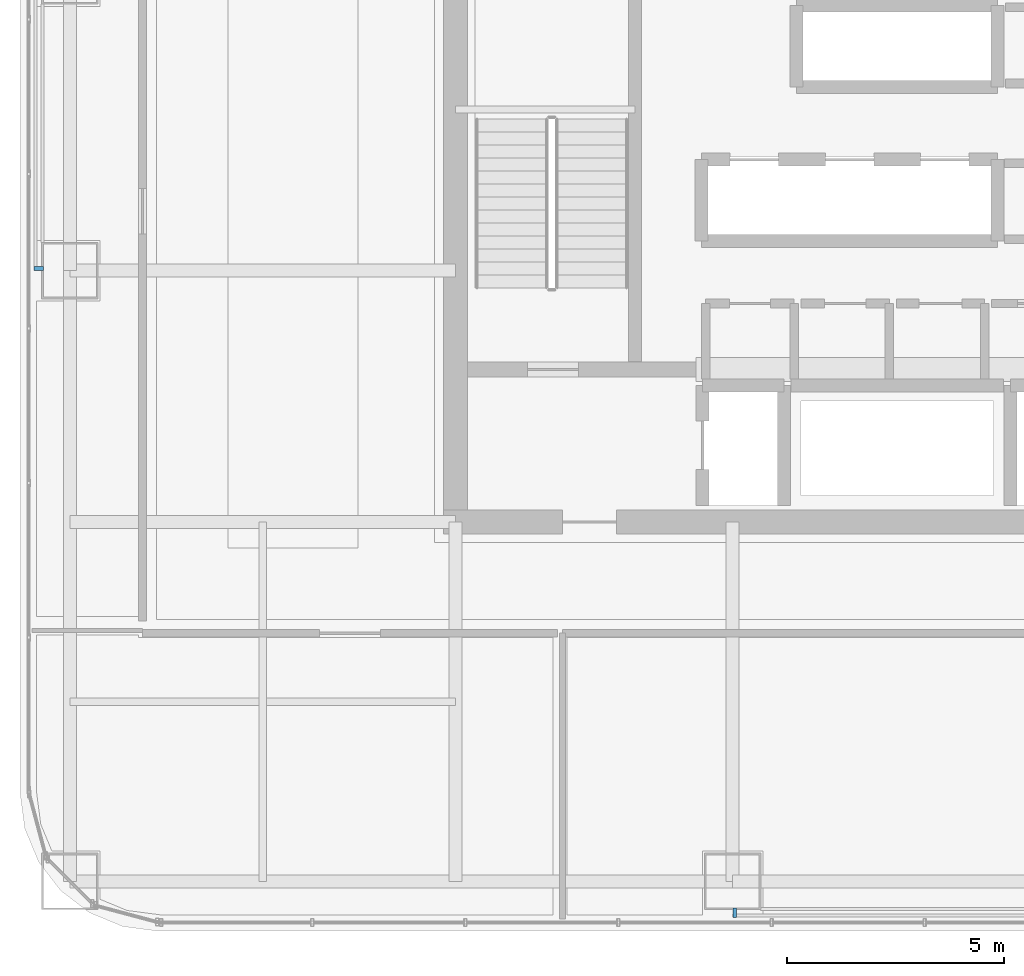
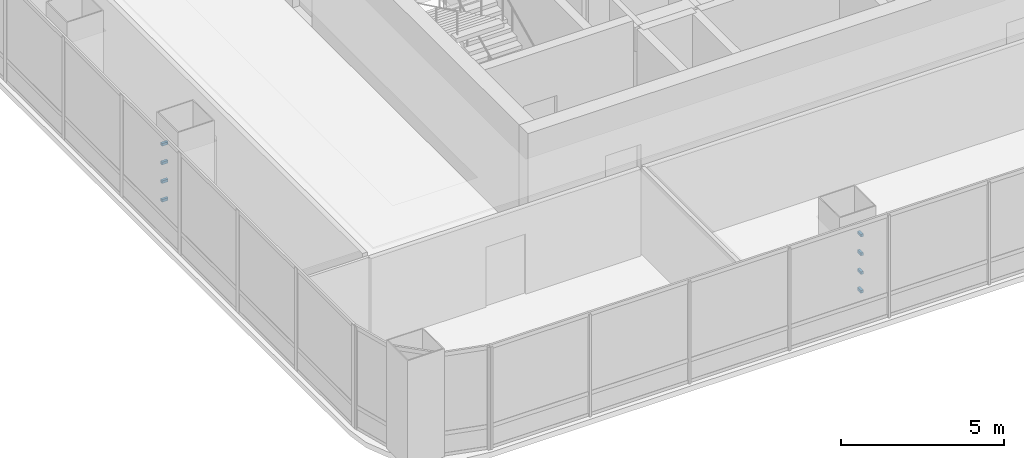
# One storey, part 36 of 42: 8 discrete accessories.
"""IFC4 building model written with IfcOpenShell, lengths in metres."""

from ifc_helpers import new_model, si_unit, direction, frame, origin, origin_2d, place, context, subcontext, project, spatial, rectangle, extrude, material, type_object, element, save


model = new_model("IFC4")

# Units and contexts
model_context = context("Model", 3, precision=1e-05, world=origin(), true_north=direction((0.0, 1.0)))
body_context = subcontext(model_context, "Body", "Model", "MODEL_VIEW")
ifc_project = project(units=[si_unit("LENGTHUNIT", "METRE"), si_unit("AREAUNIT", "SQUARE_METRE"), si_unit("VOLUMEUNIT", "CUBIC_METRE"), si_unit("PLANEANGLEUNIT", "RADIAN"), si_unit("MASSUNIT", "GRAM", prefix="KILO")], contexts=[model_context])

# Site, building, storey
site_placement = place(None, origin())
site = spatial("IfcSite", under=ifc_project, at=site_placement, CompositionType="ELEMENT")
building_placement = place(site_placement, origin())
building = spatial("IfcBuilding", under=site, at=building_placement, Name="Punatoya Terracotta Tower", CompositionType="ELEMENT")
storey_placement = place(building_placement, frame((0.0, 0.0, 259.5)))
storey = spatial("IfcBuildingStorey", under=building, at=storey_placement, Name="L61", CompositionType="ELEMENT", Elevation=259.5)

# Discrete accessories
ifc_material = material(Name="Steel S355", Category="steel")
discrete_accessory_type = type_object("IfcDiscreteAccessoryType", Name="ACC-BRK-220", PredefinedType="BRACKET", material=ifc_material)
for number, where, z_axis, x_axis, name in (
    (1, (-3.75, -18.219970703125, 1.099853515625), (0.0, 0.0, 1.0), (1.0, 0.0, 0.0), "L61 Baguette Louvre Column Bracket BAG-L61-S-01"),
    (2, (-3.75, -18.219970703125, 1.800048828125), (0.0, 0.0, 1.0), (1.0, 0.0, 0.0), "L61 Baguette Louvre Column Bracket BAG-L61-S-02"),
    (3, (-3.75, -18.219970703125, 2.5), (0.0, 0.0, 1.0), (1.0, 0.0, 0.0), "L61 Baguette Louvre Column Bracket BAG-L61-S-03"),
    (4, (-3.75, -18.219970703125, 3.199951171875), (0.0, 0.0, 1.0), (1.0, 0.0, 0.0), "L61 Baguette Louvre Column Bracket BAG-L61-S-04"),
    (5, (-19.820068359375, -3.35009765625, 1.099853515625), (0.0, 0.0, 1.0), (0.0, 1.0, 0.0), "L61 Baguette Louvre Column Bracket BAG-L61-W-01"),
    (6, (-19.820068359375, -3.35009765625, 1.800048828125), (0.0, 0.0, 1.0), (0.0, 1.0, 0.0), "L61 Baguette Louvre Column Bracket BAG-L61-W-02"),
    (7, (-19.820068359375, -3.35009765625, 2.5), (0.0, 0.0, 1.0), (0.0, 1.0, 0.0), "L61 Baguette Louvre Column Bracket BAG-L61-W-03"),
    (8, (-19.820068359375, -3.35009765625, 3.199951171875), (0.0, 0.0, 1.0), (0.0, 1.0, 0.0), "L61 Baguette Louvre Column Bracket BAG-L61-W-04"),
):
    element("IfcDiscreteAccessory", number, at=place(storey_placement, frame(where, z_axis=z_axis, x_axis=x_axis)), inside=storey, type_object=discrete_accessory_type, Name=name, PredefinedType="BRACKET", context=body_context, shape_type="SweptSolid", body=[
        extrude(rectangle(XDim=0.090087890625, YDim=0.219970703125, at=origin_2d()), origin(), (0.0, 0.0, 1.0), 0.10009765625),
    ])

save(model, "model.ifc")
